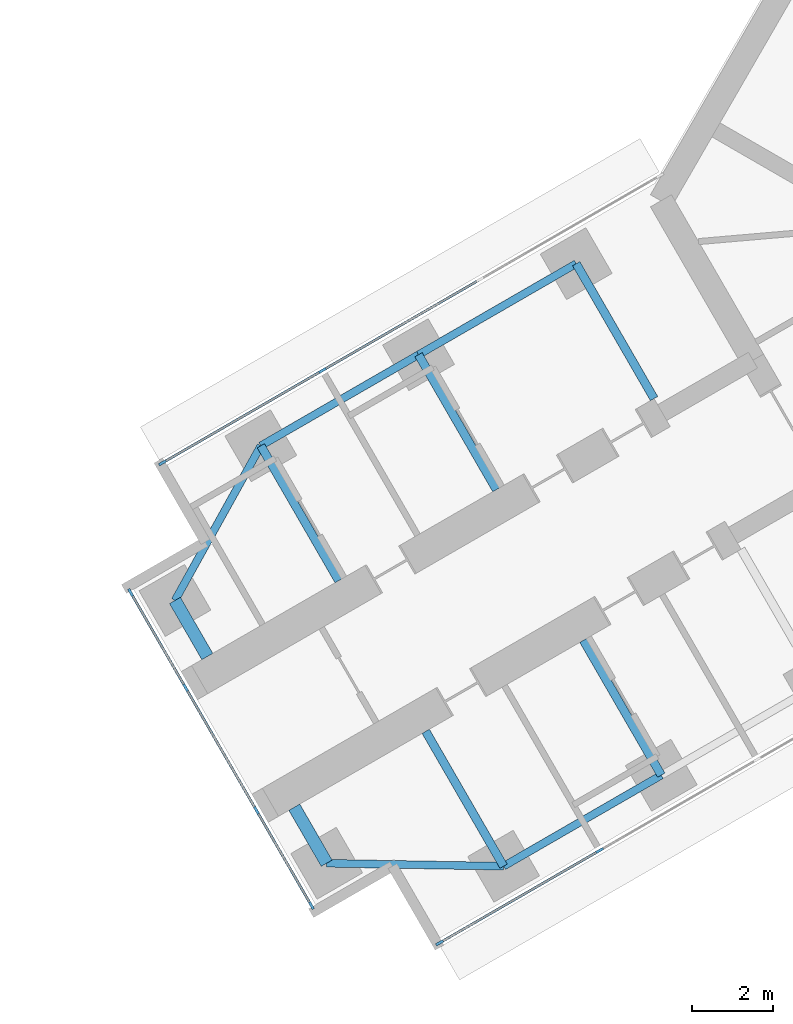
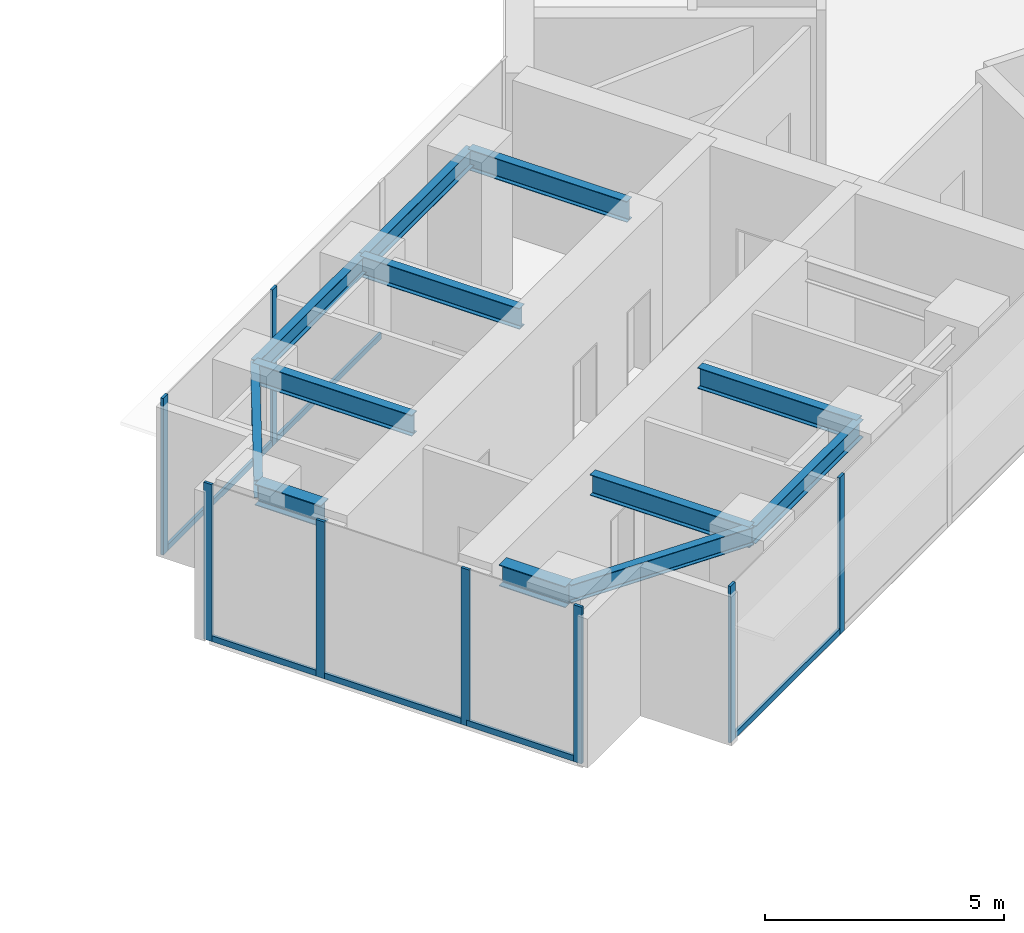
# One storey, part 3 of 22: 14 members, 12 beams, 3 elements without a shape of their own.
"""IFC4 building model written with IfcOpenShell, lengths in metres."""

import ifcopenshell
import ifcopenshell.guid

model = None  # the IFC model being written
_history = None  # IfcOwnerHistory: only IFC2X3 demands one
_inside = {}  # id of a spatial element -> (the spatial element, [elements in it])
_under = {}  # id of a project, library or spatial element -> (it, [spatial elements below it])
_declared = {}  # id of a project -> (the project, [libraries it declares])
_typed = {}  # id of a type object -> (the type object, [elements of that type])
_made_of = {}  # id of a material, layer set ... -> (it, [elements and type objects made of it])


def new_model(schema):
    """Start an empty IFC model of exactly this schema.

    Asked for "IFC4X3", IfcOpenShell would pick the latest addendum, in which some entities
    have other attributes; the version numbers below select the first issue.
    IFC2X3 requires an IfcOwnerHistory on every rooted entity: one is made here for all.
    """
    global model, _history
    if schema == "IFC4X3":
        model = ifcopenshell.file(schema_version=(4, 3, 0, 0))
    else:
        model = ifcopenshell.file(schema=schema)
    _inside.clear()
    _under.clear()
    _declared.clear()
    _typed.clear()
    _made_of.clear()
    _history = None
    if model.schema == "IFC2X3":
        org = make("IfcOrganization", Name="unknown")
        user = make(
            "IfcPersonAndOrganization",
            ThePerson=make("IfcPerson", FamilyName="unknown"),
            TheOrganization=org,
        )
        app = make(
            "IfcApplication",
            ApplicationDeveloper=org,
            Version="unknown",
            ApplicationFullName="unknown",
            ApplicationIdentifier="unknown",
        )
        _history = make(
            "IfcOwnerHistory",
            OwningUser=user,
            OwningApplication=app,
            ChangeAction="ADDED",
            CreationDate=0,
        )
    return model


def make(cls, **values):
    """One entity of the class cls with the attributes given. An attribute that is None is left unset."""
    return model.create_entity(
        cls, **{name: value for name, value in values.items() if value is not None}
    )


def rooted(cls, **values):
    """An entity with a GlobalId (a new one), such as an element, a storey or a relation."""
    return make(cls, GlobalId=ifcopenshell.guid.new(), OwnerHistory=_history, **values)


def si_unit(unit_type, name, prefix=None):
    """IfcSIUnit, for example si_unit("LENGTHUNIT", "METRE", prefix="MILLI")."""
    return make("IfcSIUnit", UnitType=unit_type, Prefix=prefix, Name=name)


def assignment(units):
    """IfcUnitAssignment: the units of a project."""
    return None if units is None else make("IfcUnitAssignment", Units=units)


def point(xyz):
    """IfcCartesianPoint."""
    return None if xyz is None else make("IfcCartesianPoint", Coordinates=xyz)


def direction(xyz):
    """IfcDirection."""
    return None if xyz is None else make("IfcDirection", DirectionRatios=xyz)


def frame(location, z_axis=None, x_axis=None):
    """IfcAxis2Placement3D, a coordinate frame: its origin and axes. An axis left out is left unset."""
    return make(
        "IfcAxis2Placement3D",
        Location=point(location),
        Axis=direction(z_axis),
        RefDirection=direction(x_axis),
    )


def frame_2d(location, x_axis=None):
    """IfcAxis2Placement2D, a coordinate frame in the plane: its origin and x axis."""
    return make(
        "IfcAxis2Placement2D", Location=point(location), RefDirection=direction(x_axis)
    )


def origin():
    """The frame at (0, 0, 0) with its axes left unset."""
    return frame((0.0, 0.0, 0.0))


def origin_2d():
    """The frame at (0, 0) in the plane with its x axis left unset."""
    return frame_2d((0.0, 0.0))


def place(relative_to, where):
    """IfcLocalPlacement: puts the frame where relative to a parent placement (None: the world)."""
    return make(
        "IfcLocalPlacement", PlacementRelTo=relative_to, RelativePlacement=where
    )


def context(
    kind, dimensions, precision=None, world=None, true_north=None, identifier=None
):
    """IfcGeometricRepresentationContext, for example the 3D "Model" context."""
    return make(
        "IfcGeometricRepresentationContext",
        ContextIdentifier=identifier,
        ContextType=kind,
        CoordinateSpaceDimension=dimensions,
        Precision=precision,
        WorldCoordinateSystem=world,
        TrueNorth=true_north,
    )


def subcontext(parent, identifier, kind, view, scale=None):
    """IfcGeometricRepresentationSubContext, for example "Body" below "Model"."""
    return make(
        "IfcGeometricRepresentationSubContext",
        ContextIdentifier=identifier,
        ContextType=kind,
        ParentContext=parent,
        TargetScale=scale,
        TargetView=view,
    )


def project(units=None, contexts=None):
    """IfcProject with its units and contexts."""
    return rooted(
        "IfcProject",
        Name="project",
        RepresentationContexts=contexts,
        UnitsInContext=assignment(units),
    )


def spatial(cls, under=None, at=None, **own):
    """A site, building, storey or space (cls), placed at a placement, below another one or the project."""
    s = rooted(cls, ObjectPlacement=at, **own)
    if under is not None:
        _under.setdefault(under.id(), (under, []))[1].append(s)
    return s


def profile(cls, at=None, kind="AREA", **sizes):
    """A parametric profile (cls). Its sizes go by their IFC names, for example OverallWidth=200.0."""
    return make(cls, ProfileType=kind, Position=at, **sizes)


def rectangle(**sizes):
    """IfcRectangleProfileDef."""
    return profile("IfcRectangleProfileDef", **sizes)


def i_section(**sizes):
    """IfcIShapeProfileDef."""
    return profile("IfcIShapeProfileDef", **sizes)


def extrude(swept, where, along, depth):
    """IfcExtrudedAreaSolid: the profile swept, set in the frame where, extruded along a direction by depth."""
    return make(
        "IfcExtrudedAreaSolid",
        SweptArea=swept,
        Position=where,
        ExtrudedDirection=direction(along),
        Depth=depth,
    )


def shape(context_of_items, identifier, shape_type, items):
    """IfcShapeRepresentation: the items that make up one representation, for example the "Body"."""
    return make(
        "IfcShapeRepresentation",
        ContextOfItems=context_of_items,
        RepresentationIdentifier=identifier,
        RepresentationType=shape_type,
        Items=items,
    )


def material(Name=None, Category=None):
    """IfcMaterial."""
    return make("IfcMaterial", Name=Name, Category=Category)


def material_profile(
    of_material, cross_section, Name=None, Category=None, Priority=None
):
    """IfcMaterialProfile: a cross section and its material."""
    return make(
        "IfcMaterialProfile",
        Name=Name,
        Material=of_material,
        Profile=cross_section,
        Priority=Priority,
        Category=Category,
    )


def profile_set(profiles, Name=None, composite=None):
    """IfcMaterialProfileSet."""
    return make(
        "IfcMaterialProfileSet",
        Name=Name,
        MaterialProfiles=profiles,
        CompositeProfile=composite,
    )


def made_of(thing, what):
    """Note that an element or type object is made of a material, layer set ...; save() writes the relation."""
    if what is not None:
        _made_of.setdefault(what.id(), (what, []))[1].append(thing)
    return thing


def type_object(cls, material=None, **own):
    """A type object (cls), such as IfcWallType, which elements share."""
    return made_of(rooted(cls, **own), material)


def element(
    cls,
    number,
    at=None,
    inside=None,
    cuts=None,
    type_object=None,
    material=None,
    context=None,
    identifier="Body",
    shape_type=None,
    held_by="IfcProductDefinitionShape",
    body=None,
    shapes=None,
    **own,
):
    """One element of the class cls, such as IfcWall. Its Tag is "e" and its number.

    at: its placement. inside: the storey or other place that contains it. cuts: it is an
    opening in that element (IfcRelVoidsElement). A single representation is given by context,
    identifier, shape_type and body (its items); several are given by shapes. held_by: the class
    of the entity that holds the representations. save() writes the other relations.
    """
    e = rooted(cls, Tag="e%d" % number, ObjectPlacement=at, **own)
    if body is not None:
        shapes = [shape(context, identifier, shape_type, body)]
    if shapes is not None:
        e.Representation = make(held_by, Representations=shapes)
    if inside is not None:
        _inside.setdefault(inside.id(), (inside, []))[1].append(e)
    if cuts is not None:
        rooted(
            "IfcRelVoidsElement", RelatingBuildingElement=cuts, RelatedOpeningElement=e
        )
    if type_object is not None:
        _typed.setdefault(type_object.id(), (type_object, []))[1].append(e)
    return made_of(e, material)


def aggregate(whole, parts):
    """IfcRelAggregates: a whole, such as a stair, and the parts it consists of."""
    return rooted("IfcRelAggregates", RelatingObject=whole, RelatedObjects=parts)


def save(model, path):
    """Write the relations noted so far, then the file.

    IfcRelAggregates (storeys below a building ...), IfcRelContainedInSpatialStructure (elements
    in a storey), IfcRelDefinesByType, IfcRelAssociatesMaterial and IfcRelDeclares: one each for
    every whole, place, type object, material and project.
    """
    for whole, parts in _under.values():
        aggregate(whole, parts)
    for where, things in _inside.values():
        rooted(
            "IfcRelContainedInSpatialStructure",
            RelatedElements=things,
            RelatingStructure=where,
        )
    for kind, things in _typed.values():
        rooted("IfcRelDefinesByType", RelatedObjects=things, RelatingType=kind)
    for what, things in _made_of.values():
        rooted("IfcRelAssociatesMaterial", RelatedObjects=things, RelatingMaterial=what)
    for by, libraries in _declared.values():
        rooted("IfcRelDeclares", RelatingContext=by, RelatedDefinitions=libraries)
    model.write(path)


model = new_model("IFC4")

# Units and contexts
model_context = context("Model", 3, precision=1e-05, world=origin(), true_north=direction((0.0, 1.0)))
body_context = subcontext(model_context, "Body", "Model", "MODEL_VIEW")
ifc_project = project(units=[si_unit("LENGTHUNIT", "METRE"), si_unit("AREAUNIT", "SQUARE_METRE"), si_unit("VOLUMEUNIT", "CUBIC_METRE"), si_unit("PLANEANGLEUNIT", "RADIAN"), si_unit("MASSUNIT", "GRAM", prefix="KILO")], contexts=[model_context])

# Site, building, storey
site_placement = place(None, origin())
site = spatial("IfcSite", under=ifc_project, at=site_placement, CompositionType="ELEMENT")
building_placement = place(site_placement, origin())
building = spatial("IfcBuilding", under=site, at=building_placement, Name="Upepo Twin Towers", CompositionType="ELEMENT")
storey_placement = place(building_placement, frame((0.0, 0.0, 137.5)))
storey = spatial("IfcBuildingStorey", under=building, at=storey_placement, Name="L33", CompositionType="ELEMENT", Elevation=137.5)

# Beams
ifc_material_1 = material(Name="Steel S355", Category="steel")
ifc_material_profile_1 = material_profile(ifc_material_1, i_section(OverallWidth=0.1904296875, OverallDepth=0.45703125, WebThickness=0.009033203125, FlangeThickness=0.014404296875, FilletRadius=0.01025390625, at=origin_2d()), Name="UB 457x191x74")
ifc_profile_set_1 = profile_set([ifc_material_profile_1], Name="Steel S355")
beam_type_1 = type_object("IfcBeamType", Name="Beam UB 457x191x74", PredefinedType="BEAM", material=ifc_profile_set_1)
beam_1_placement = place(storey_placement, frame((45.91162109375, -32.196044921875, 3.571533203125), z_axis=(-0.866031096941, -0.499990139034, 0.0), x_axis=(0.499990139034, -0.866031096941, 0.0)))
element("IfcBeam", 1, at=beam_1_placement, inside=storey, type_object=beam_type_1, Name="T2 edge beam BL 18.0-22.5", PredefinedType="BEAM", context=body_context, shape_type="SweptSolid", body=[
    extrude(i_section(OverallWidth=0.1904296875, OverallDepth=0.45703125, WebThickness=0.009033203125, FlangeThickness=0.014404296875, FilletRadius=0.01025390625, at=origin_2d()), origin(), (0.0, 0.0, 1.0), 4.5),
])
beam_2_placement = place(storey_placement, frame((42.014404296875, -34.446044921875, 3.571533203125), z_axis=(-0.999858804832, 0.016803880528, 0.0), x_axis=(-0.016803880528, -0.999858804832, 0.0)))
element("IfcBeam", 2, at=beam_2_placement, inside=storey, type_object=beam_type_1, Name="T2 nose edge beam BL", PredefinedType="BEAM", context=body_context, shape_type="SweptSolid", body=[
    extrude(i_section(OverallWidth=0.1904296875, OverallDepth=0.45703125, WebThickness=0.009033203125, FlangeThickness=0.014404296875, FilletRadius=0.01025390625, at=origin_2d()), origin(), (0.0, 0.0, 1.0), 4.373291015625),
])
beam_3_placement = place(storey_placement, frame((43.80859375, -19.553955078125, 3.571533203125), z_axis=(-0.866017533419, -0.500013631625, 0.0), x_axis=(0.500013631625, -0.866017533419, 0.0)))
element("IfcBeam", 3, at=beam_3_placement, inside=storey, type_object=beam_type_1, Name="T2 edge beam BR 13.5-18.0", PredefinedType="BEAM", context=body_context, shape_type="SweptSolid", body=[
    extrude(i_section(OverallWidth=0.1904296875, OverallDepth=0.45703125, WebThickness=0.009033203125, FlangeThickness=0.014404296875, FilletRadius=0.01025390625, at=origin_2d()), origin(), (0.0, 0.0, 1.0), 4.499755859375),
])
beam_4_placement = place(storey_placement, frame((39.91162109375, -21.803955078125, 3.571533203125), z_axis=(-0.866031096941, -0.499990139034, 0.0), x_axis=(0.499990139034, -0.866031096941, 0.0)))
element("IfcBeam", 4, at=beam_4_placement, inside=storey, type_object=beam_type_1, Name="T2 edge beam BR 18.0-22.5", PredefinedType="BEAM", context=body_context, shape_type="SweptSolid", body=[
    extrude(i_section(OverallWidth=0.1904296875, OverallDepth=0.45703125, WebThickness=0.009033203125, FlangeThickness=0.014404296875, FilletRadius=0.01025390625, at=origin_2d()), origin(), (0.0, 0.0, 1.0), 4.5),
])
beam_5_placement = place(storey_placement, frame((36.014404296875, -24.053955078125, 3.571533203125), z_axis=(-0.485363242752, -0.874312600038, 0.0), x_axis=(0.874312600038, -0.485363242752, 0.0)))
element("IfcBeam", 5, at=beam_5_placement, inside=storey, type_object=beam_type_1, Name="T2 nose edge beam BR", PredefinedType="BEAM", context=body_context, shape_type="SweptSolid", body=[
    extrude(i_section(OverallWidth=0.1904296875, OverallDepth=0.45703125, WebThickness=0.009033203125, FlangeThickness=0.014404296875, FilletRadius=0.01025390625, at=origin_2d()), origin(), (0.0, 0.0, 1.0), 4.373046875),
])
ifc_material_2 = material(Name="Steel S355", Category="steel")
ifc_material_profile_2 = material_profile(ifc_material_2, i_section(OverallWidth=0.209228515625, OverallDepth=0.533203125, WebThickness=0.010009765625, FlangeThickness=0.015625, FilletRadius=0.0126953125, at=origin_2d()), Name="UB 533x210x92")
ifc_profile_set_2 = profile_set([ifc_material_profile_2], Name="Steel S355")
beam_type_2 = type_object("IfcBeamType", Name="Beam UB 533x210x92", PredefinedType="BEAM", material=ifc_profile_set_2)
for number, where, z_axis, x_axis, name in (
    (6, (45.91162109375, -32.196044921875, 3.533447265625), (-0.500033517596, 0.866006051527, 0.0), (-0.866006051527, -0.500033517596, 0.0), "T2 girder BL at 18.0"),
    (7, (42.014404296875, -34.446044921875, 3.533447265625), (-0.500033517596, 0.866006051527, 0.0), (-0.866006051527, -0.500033517596, 0.0), "T2 girder BL at 22.5"),
    (8, (43.80859375, -19.553955078125, 3.533447265625), (0.500033517596, -0.866006051527, 0.0), (0.866006051527, 0.500033517596, 0.0), "T2 girder BR at 13.5"),
):
    element("IfcBeam", number, at=place(storey_placement, frame(where, z_axis=z_axis, x_axis=x_axis)), inside=storey, type_object=beam_type_2, Name=name, PredefinedType="BEAM", context=body_context, shape_type="SweptSolid", body=[
        extrude(i_section(OverallWidth=0.209228515625, OverallDepth=0.533203125, WebThickness=0.010009765625, FlangeThickness=0.015625, FilletRadius=0.0126953125, at=origin_2d()), origin(), (0.0, 0.0, 1.0), 3.849853515625),
    ])
beam_6_placement = place(storey_placement, frame((39.91162109375, -21.803955078125, 3.533447265625), z_axis=(0.499985955615, -0.866033512162, 0.0), x_axis=(0.866033512162, 0.499985955615, 0.0)))
element("IfcBeam", 9, at=beam_6_placement, inside=storey, type_object=beam_type_2, Name="T2 girder BR at 18.0", PredefinedType="BEAM", context=body_context, shape_type="SweptSolid", body=[
    extrude(i_section(OverallWidth=0.209228515625, OverallDepth=0.533203125, WebThickness=0.010009765625, FlangeThickness=0.015625, FilletRadius=0.0126953125, at=origin_2d()), origin(), (0.0, 0.0, 1.0), 3.849609375),
])
beam_7_placement = place(storey_placement, frame((36.014404296875, -24.053955078125, 3.533447265625), z_axis=(0.500033517596, -0.866006051527, 0.0), x_axis=(0.866006051527, 0.500033517596, 0.0)))
element("IfcBeam", 10, at=beam_7_placement, inside=storey, type_object=beam_type_2, Name="T2 girder BR at 22.5", PredefinedType="BEAM", context=body_context, shape_type="SweptSolid", body=[
    extrude(i_section(OverallWidth=0.209228515625, OverallDepth=0.533203125, WebThickness=0.010009765625, FlangeThickness=0.015625, FilletRadius=0.0126953125, at=origin_2d()), origin(), (0.0, 0.0, 1.0), 3.849853515625),
])
ifc_material_3 = material(Name="Steel S355", Category="steel")
ifc_material_profile_3 = material_profile(ifc_material_3, i_section(OverallWidth=0.31201171875, OverallDepth=0.54345703125, WebThickness=0.0126953125, FlangeThickness=0.020263671875, FilletRadius=0.0126953125, at=origin_2d()), Name="UB 533x312x150")
ifc_profile_set_3 = profile_set([ifc_material_profile_3], Name="Steel S355")
beam_type_3 = type_object("IfcBeamType", Name="Beam UB 533x312x150", PredefinedType="BEAM", material=ifc_profile_set_3)
for number, where, z_axis, x_axis, name in (
    (11, (37.641845703125, -34.37255859375, 3.5283203125), (-0.500061482766, 0.865989903783, 0.0), (-0.865989903783, -0.500061482766, 0.0), "T2 nose beam BL"),
    (12, (33.891845703125, -27.87744140625, 3.5283203125), (0.500061482766, -0.865989903783, 0.0), (0.865989903783, 0.500061482766, 0.0), "T2 nose beam BR"),
):
    element("IfcBeam", number, at=place(storey_placement, frame(where, z_axis=z_axis, x_axis=x_axis)), inside=storey, type_object=beam_type_3, Name=name, PredefinedType="BEAM", context=body_context, shape_type="SweptSolid", body=[
        extrude(i_section(OverallWidth=0.31201171875, OverallDepth=0.54345703125, WebThickness=0.0126953125, FlangeThickness=0.020263671875, FilletRadius=0.0126953125, at=origin_2d()), origin(), (0.0, 0.0, 1.0), 1.599853515625),
    ])

# Curtain wall, members
ifc_material_4 = material(Name="Aluminium and fritted glass", Category="aluminium")
curtain_wall_type = type_object("IfcCurtainWallType", Name="Tower curtain wall TW2, fritted glass", PredefinedType="NOTDEFINED", material=ifc_material_4)
curtain_wall_1_placement = place(storey_placement, origin())
curtain_wall_1 = element("IfcCurtainWall", 13, at=curtain_wall_1_placement, inside=storey, type_object=curtain_wall_type, Name="T2 L33 wing B flank L curtain wall", PredefinedType="NOTDEFINED")
ifc_material_5 = material(Name="Aluminium mullion", Category="aluminium")
ifc_material_profile_4 = material_profile(ifc_material_5, rectangle(XDim=0.06494140625, YDim=0.199951171875, at=origin_2d()), Name="MULLION 65x200")
ifc_profile_set_4 = profile_set([ifc_material_profile_4], Name="Aluminium mullion")
member_type_1 = type_object("IfcMemberType", Name="Mullion 65x200 TW2", PredefinedType="MULLION", material=ifc_profile_set_4)
member_1_placement = place(storey_placement, frame((44.387939453125, -34.057373046875, 0.0), z_axis=(0.0, 0.0, 1.0), x_axis=(0.500000010308, -0.866025397833, 0.0)))
member_1 = element("IfcMember", 14, at=member_1_placement, type_object=member_type_1, Name="T2 L33 wing B flank L curtain wall mullion 3", PredefinedType="MULLION", context=body_context, shape_type="SweptSolid", body=[
    extrude(rectangle(XDim=0.06494140625, YDim=0.199951171875, at=origin_2d()), origin(), (0.0, 0.0, 1.0), 4.0),
])
member_2_placement = place(storey_placement, frame((40.432373046875, -36.341064453125, 0.0), z_axis=(0.0, 0.0, 1.0), x_axis=(0.500000010308, -0.866025397833, 0.0)))
member_2 = element("IfcMember", 15, at=member_2_placement, type_object=member_type_1, Name="T2 L33 wing B flank L curtain wall mullion 4", PredefinedType="MULLION", context=body_context, shape_type="SweptSolid", body=[
    extrude(rectangle(XDim=0.06494140625, YDim=0.199951171875, at=origin_2d()), origin(), (0.0, 0.0, 1.0), 4.0),
])

curtain_wall_2_placement = place(storey_placement, origin())
curtain_wall_2 = element("IfcCurtainWall", 16, at=curtain_wall_2_placement, inside=storey, type_object=curtain_wall_type, Name="T2 L33 wing B flank R curtain wall", PredefinedType="NOTDEFINED")
member_3_placement = place(storey_placement, frame((33.58251953125, -24.4765625, 0.0), z_axis=(0.0, 0.0, 1.0), x_axis=(-0.500000010308, 0.866025397833, 0.0)))
member_3 = element("IfcMember", 17, at=member_3_placement, type_object=member_type_1, Name="T2 L33 wing B flank R curtain wall mullion 1", PredefinedType="MULLION", context=body_context, shape_type="SweptSolid", body=[
    extrude(rectangle(XDim=0.06494140625, YDim=0.199951171875, at=origin_2d()), origin(), (0.0, 0.0, 1.0), 4.0),
])
member_4_placement = place(storey_placement, frame((37.5380859375, -22.192626953125, 0.0), z_axis=(0.0, 0.0, 1.0), x_axis=(-0.500000010308, 0.866025397833, 0.0)))
member_4 = element("IfcMember", 18, at=member_4_placement, type_object=member_type_1, Name="T2 L33 wing B flank R curtain wall mullion 2", PredefinedType="MULLION", context=body_context, shape_type="SweptSolid", body=[
    extrude(rectangle(XDim=0.06494140625, YDim=0.199951171875, at=origin_2d()), origin(), (0.0, 0.0, 1.0), 4.0),
])

curtain_wall_3_placement = place(storey_placement, origin())
curtain_wall_3 = element("IfcCurtainWall", 19, at=curtain_wall_3_placement, inside=storey, type_object=curtain_wall_type, Name="T2 L33 wing B nose curtain wall", PredefinedType="NOTDEFINED")
member_5_placement = place(storey_placement, frame((32.796875, -27.68115234375, 0.0), z_axis=(0.0, 0.0, 1.0), x_axis=(0.866025386174, 0.500000030502, 0.0)))
member_5 = element("IfcMember", 20, at=member_5_placement, type_object=member_type_1, Name="T2 L33 wing B nose curtain wall mullion 1", PredefinedType="MULLION", context=body_context, shape_type="SweptSolid", body=[
    extrude(rectangle(XDim=0.06494140625, YDim=0.199951171875, at=origin_2d()), origin(), (0.0, 0.0, 1.0), 4.0),
])
member_6_placement = place(storey_placement, frame((34.15576171875, -30.034423828125, 0.0), z_axis=(0.0, 0.0, 1.0), x_axis=(0.866025386174, 0.500000030502, 0.0)))
member_6 = element("IfcMember", 21, at=member_6_placement, type_object=member_type_1, Name="T2 L33 wing B nose curtain wall mullion 2", PredefinedType="MULLION", context=body_context, shape_type="SweptSolid", body=[
    extrude(rectangle(XDim=0.06494140625, YDim=0.199951171875, at=origin_2d()), origin(), (0.0, 0.0, 1.0), 4.0),
])
member_7_placement = place(storey_placement, frame((35.90576171875, -33.0654296875, 0.0), z_axis=(0.0, 0.0, 1.0), x_axis=(0.866025386174, 0.500000030502, 0.0)))
member_7 = element("IfcMember", 22, at=member_7_placement, type_object=member_type_1, Name="T2 L33 wing B nose curtain wall mullion 3", PredefinedType="MULLION", context=body_context, shape_type="SweptSolid", body=[
    extrude(rectangle(XDim=0.06494140625, YDim=0.199951171875, at=origin_2d()), origin(), (0.0, 0.0, 1.0), 4.0),
])
member_8_placement = place(storey_placement, frame((37.264404296875, -35.4189453125, 0.0), z_axis=(0.0, 0.0, 1.0), x_axis=(0.866025386174, 0.500000030502, 0.0)))
member_8 = element("IfcMember", 23, at=member_8_placement, type_object=member_type_1, Name="T2 L33 wing B nose curtain wall mullion 4", PredefinedType="MULLION", context=body_context, shape_type="SweptSolid", body=[
    extrude(rectangle(XDim=0.06494140625, YDim=0.199951171875, at=origin_2d()), origin(), (0.0, 0.0, 1.0), 4.0),
])

# Member
ifc_material_6 = material(Name="Aluminium transom", Category="aluminium")
ifc_material_profile_5 = material_profile(ifc_material_6, rectangle(XDim=0.06494140625, YDim=0.14990234375, at=origin_2d()), Name="TRANSOM 65x150")
ifc_profile_set_5 = profile_set([ifc_material_profile_5], Name="Aluminium transom")
member_type_2 = type_object("IfcMemberType", Name="Transom 65x150 TW2", PredefinedType="USERDEFINED", material=ifc_profile_set_5)
member_9_placement = place(storey_placement, frame((44.35986328125, -34.073486328125, 0.074951171875), z_axis=(-0.866035699072, -0.499982167615, 0.0), x_axis=(0.499982167615, -0.866035699072, 0.0)))
member_9 = element("IfcMember", 24, at=member_9_placement, type_object=member_type_2, Name="T2 L33 wing B flank L curtain wall transom 3", ObjectType="TRANSOM", PredefinedType="USERDEFINED", context=body_context, shape_type="SweptSolid", body=[
    extrude(rectangle(XDim=0.06494140625, YDim=0.14990234375, at=origin_2d()), origin(), (0.0, 0.0, 1.0), 4.502685546875),
])

aggregate(curtain_wall_1, [member_1, member_2, member_9])

member_10_placement = place(storey_placement, frame((33.610595703125, -24.460205078125, 0.074951171875), z_axis=(0.866022143554, 0.500005646842, 0.0), x_axis=(-0.500005646842, 0.866022143554, 0.0)))
member_10 = element("IfcMember", 25, at=member_10_placement, type_object=member_type_2, Name="T2 L33 wing B flank R curtain wall transom 1", ObjectType="TRANSOM", PredefinedType="USERDEFINED", context=body_context, shape_type="SweptSolid", body=[
    extrude(rectangle(XDim=0.06494140625, YDim=0.14990234375, at=origin_2d()), origin(), (0.0, 0.0, 1.0), 4.50244140625),
])

member_11_placement = place(storey_placement, frame((37.566162109375, -22.176513671875, 0.074951171875), z_axis=(0.866022410713, 0.500005184116, 0.0), x_axis=(-0.500005184116, 0.866022410713, 0.0)))
member_11 = element("IfcMember", 26, at=member_11_placement, type_object=member_type_2, Name="T2 L33 wing B flank R curtain wall transom 2", ObjectType="TRANSOM", PredefinedType="USERDEFINED", context=body_context, shape_type="SweptSolid", body=[
    extrude(rectangle(XDim=0.06494140625, YDim=0.14990234375, at=origin_2d()), origin(), (0.0, 0.0, 1.0), 4.43505859375),
])

aggregate(curtain_wall_2, [member_3, member_4, member_10, member_11])

member_12_placement = place(storey_placement, frame((32.813232421875, -27.709228515625, 0.074951171875), z_axis=(0.499980071345, -0.866036909293, 0.0), x_axis=(0.866036909293, 0.499980071345, 0.0)))
member_12 = element("IfcMember", 27, at=member_12_placement, type_object=member_type_2, Name="T2 L33 wing B nose curtain wall transom 1", ObjectType="TRANSOM", PredefinedType="USERDEFINED", context=body_context, shape_type="SweptSolid", body=[
    extrude(rectangle(XDim=0.06494140625, YDim=0.14990234375, at=origin_2d()), origin(), (0.0, 0.0, 1.0), 2.65234375),
])

member_13_placement = place(storey_placement, frame((34.171875, -30.0625, 0.074951171875), z_axis=(0.499999305434, -0.866025804792, 0.0), x_axis=(0.866025804792, 0.499999305434, 0.0)))
member_13 = element("IfcMember", 28, at=member_13_placement, type_object=member_type_2, Name="T2 L33 wing B nose curtain wall transom 2", ObjectType="TRANSOM", PredefinedType="USERDEFINED", context=body_context, shape_type="SweptSolid", body=[
    extrude(rectangle(XDim=0.06494140625, YDim=0.14990234375, at=origin_2d()), origin(), (0.0, 0.0, 1.0), 3.43505859375),
])

member_14_placement = place(storey_placement, frame((35.921875, -33.09375, 0.074951171875), z_axis=(0.500049101008, -0.865997053448, 0.0), x_axis=(0.865997053448, 0.500049101008, 0.0)))
member_14 = element("IfcMember", 29, at=member_14_placement, type_object=member_type_2, Name="T2 L33 wing B nose curtain wall transom 3", ObjectType="TRANSOM", PredefinedType="USERDEFINED", context=body_context, shape_type="SweptSolid", body=[
    extrude(rectangle(XDim=0.06494140625, YDim=0.14990234375, at=origin_2d()), origin(), (0.0, 0.0, 1.0), 2.652587890625),
])

aggregate(curtain_wall_3, [member_5, member_6, member_7, member_8, member_12, member_13, member_14])

save(model, "model.ifc")
